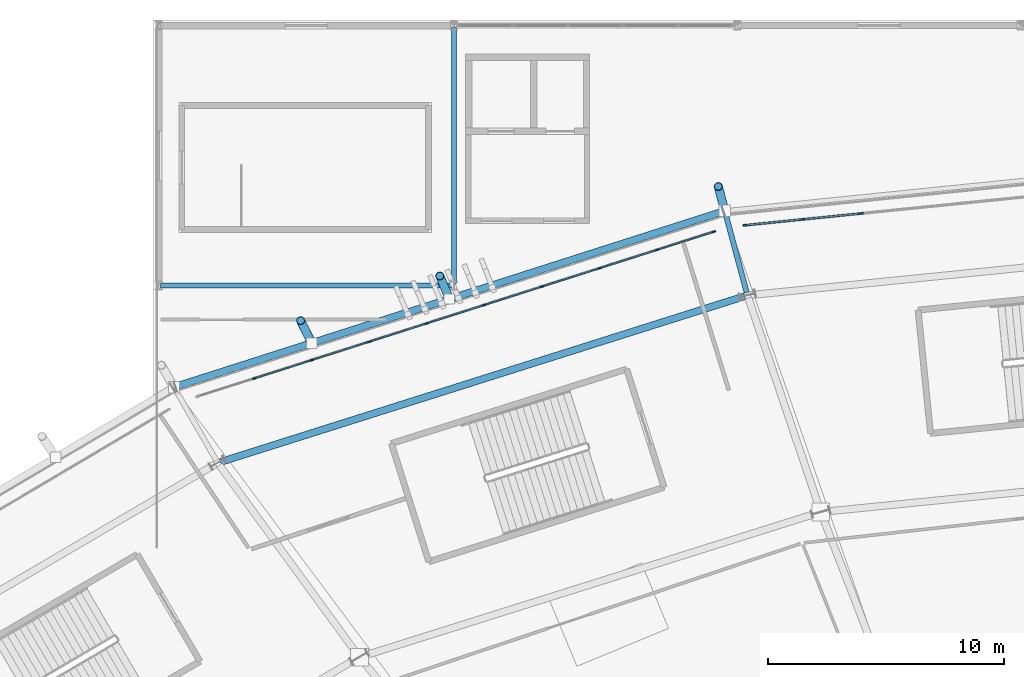
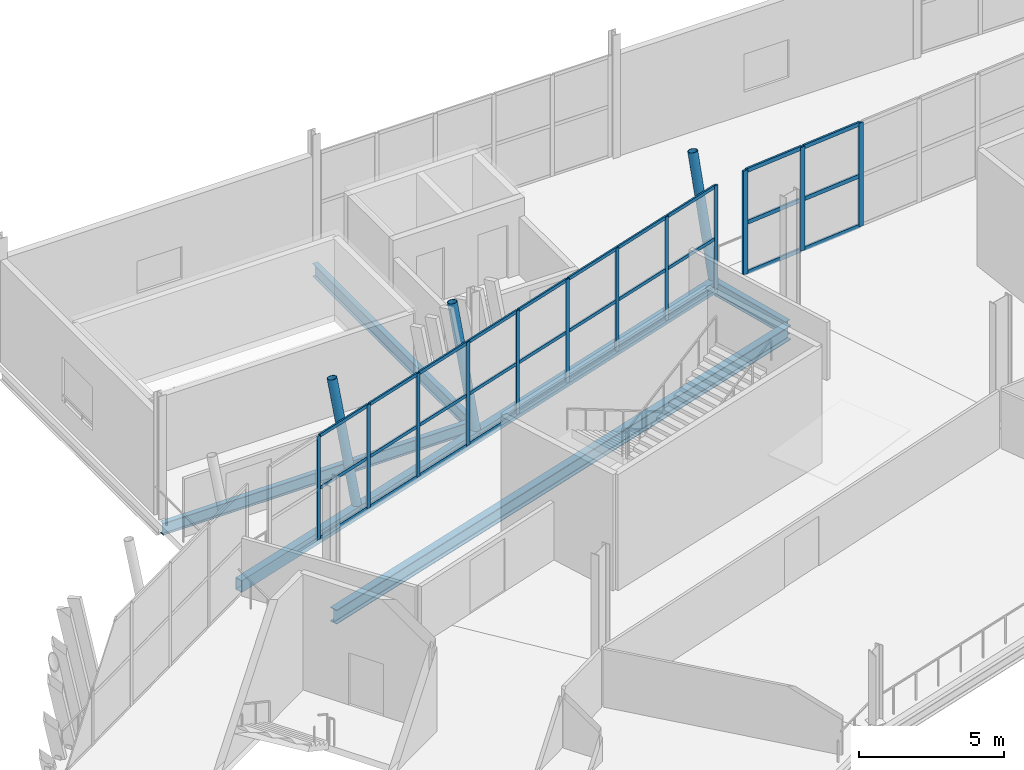
# One storey, part 67 of 168: 45 members, 5 beams, 2 elements without a shape of their own.
"""IFC4 building model written with IfcOpenShell, lengths in metres."""

from ifc_helpers import new_model, si_unit, direction, frame, origin, origin_2d, place, context, subcontext, project, spatial, rectangle, hollow_rectangle, hollow_circle, i_section, extrude, material, material_profile, profile_set, type_object, element, aggregate, save


model = new_model("IFC4")

# Units and contexts
model_context = context("Model", 3, precision=1e-05, world=origin(), true_north=direction((0.0, 1.0)))
body_context = subcontext(model_context, "Body", "Model", "MODEL_VIEW")
ifc_project = project(units=[si_unit("LENGTHUNIT", "METRE"), si_unit("AREAUNIT", "SQUARE_METRE"), si_unit("VOLUMEUNIT", "CUBIC_METRE"), si_unit("PLANEANGLEUNIT", "RADIAN"), si_unit("MASSUNIT", "GRAM", prefix="KILO")], contexts=[model_context])

# Site, building, storey
site_placement = place(None, origin())
site = spatial("IfcSite", under=ifc_project, at=site_placement, CompositionType="ELEMENT")
building_placement = place(site_placement, origin())
building = spatial("IfcBuilding", under=site, at=building_placement, Name="Zlatoyarsky Gate Stadium", CompositionType="ELEMENT")
storey_placement = place(building_placement, frame((0.0, 0.0, 15.60009765625)))
storey = spatial("IfcBuildingStorey", under=building, at=storey_placement, Name="L03", CompositionType="ELEMENT", Elevation=15.60009765625)

# Curtain wall, members
ifc_material_1 = material(Name="Thermally broken anodised aluminium curtain wall", Category="aluminium")
curtain_wall_type_1 = type_object("IfcCurtainWallType", Name="MONUMENTAL ARCHED GATE GLAZING UPPER", PredefinedType="USERDEFINED", material=ifc_material_1)
curtain_wall_1_placement = place(storey_placement, origin())
curtain_wall_1 = element("IfcCurtainWall", 1, at=curtain_wall_1_placement, inside=storey, type_object=curtain_wall_type_1, Name="Curtain wall CW-L03-06", ObjectType="ARCHED GATE GLAZING", PredefinedType="USERDEFINED")
ifc_material_2 = material(Name="Anodised aluminium 6063-T6", Category="aluminium")
ifc_material_profile_1 = material_profile(ifc_material_2, rectangle(XDim=0.074951171875, YDim=0.18994140625, at=origin_2d()), Name="ALU 75X190")
ifc_profile_set_1 = profile_set([ifc_material_profile_1], Name="Anodised aluminium 6063-T6")
member_type_1 = type_object("IfcMemberType", Name="ALUMINIUM GATE MULLION 75X190", PredefinedType="MULLION", material=ifc_profile_set_1)
member_1_placement = place(storey_placement, frame((91.742919921875, 152.0478515625, 0.0), z_axis=(0.0, 0.0, 1.0), x_axis=(0.100967231657, -0.994889751747, 0.0)))
member_1 = element("IfcMember", 2, at=member_1_placement, type_object=member_type_1, Name="CW-AG2 mullion 7", PredefinedType="MULLION", context=body_context, shape_type="SweptSolid", body=[
    extrude(rectangle(XDim=0.074951171875, YDim=0.18994140625, at=origin_2d()), origin(), (0.0, 0.0, 1.0), 4.3798828125),
])
member_2_placement = place(storey_placement, frame((89.271240234375, 151.797119140625, 0.0), z_axis=(0.0, 0.0, 1.0), x_axis=(0.100967231657, -0.994889751747, 0.0)))
member_2 = element("IfcMember", 3, at=member_2_placement, type_object=member_type_1, Name="CW-AG2 mullion 8", PredefinedType="MULLION", context=body_context, shape_type="SweptSolid", body=[
    extrude(rectangle(XDim=0.074951171875, YDim=0.18994140625, at=origin_2d()), origin(), (0.0, 0.0, 1.0), 4.3798828125),
])
member_3_placement = place(storey_placement, frame((86.8369140625, 151.550048828125, 0.0), z_axis=(0.0, 0.0, 1.0), x_axis=(0.100967231657, -0.994889751747, 0.0)))
member_3 = element("IfcMember", 4, at=member_3_placement, type_object=member_type_1, Name="CW-AG2 mullion 9", PredefinedType="MULLION", context=body_context, shape_type="SweptSolid", body=[
    extrude(rectangle(XDim=0.074951171875, YDim=0.18994140625, at=origin_2d()), origin(), (0.0, 0.0, 1.0), 4.3798828125),
])
ifc_material_profile_2 = material_profile(ifc_material_2, rectangle(XDim=0.074951171875, YDim=0.169921875, at=origin_2d()), Name="ALU 75X170")
ifc_profile_set_2 = profile_set([ifc_material_profile_2], Name="Anodised aluminium 6063-T6")
member_type_2 = type_object("IfcMemberType", Name="ALUMINIUM GATE TRANSOM 75X170", PredefinedType="USERDEFINED", material=ifc_profile_set_2)
member_4_placement = place(storey_placement, frame((91.70556640625, 152.044189453125, 0.037353515625), z_axis=(-0.994884555157, -0.101018423617, 0.0), x_axis=(0.101018423617, -0.994884555157, 0.0)))
member_4 = element("IfcMember", 5, at=member_4_placement, type_object=member_type_2, Name="CW-AG2 transom 7.1", ObjectType="TRANSOM", PredefinedType="USERDEFINED", context=body_context, shape_type="SweptSolid", body=[
    extrude(rectangle(XDim=0.074951171875, YDim=0.169921875, at=origin_2d()), origin(), (0.0, 0.0, 1.0), 2.409423828125),
])
member_5_placement = place(storey_placement, frame((91.70556640625, 152.044189453125, 2.14990234375), z_axis=(-0.994884555157, -0.101018423617, 0.0), x_axis=(0.101018423617, -0.994884555157, 0.0)))
member_5 = element("IfcMember", 6, at=member_5_placement, type_object=member_type_2, Name="CW-AG2 transom 7.2", ObjectType="TRANSOM", PredefinedType="USERDEFINED", context=body_context, shape_type="SweptSolid", body=[
    extrude(rectangle(XDim=0.074951171875, YDim=0.169921875, at=origin_2d()), origin(), (0.0, 0.0, 1.0), 2.409423828125),
])
member_6_placement = place(storey_placement, frame((91.70556640625, 152.044189453125, 4.34228515625), z_axis=(-0.994884555157, -0.101018423617, 0.0), x_axis=(0.101018423617, -0.994884555157, 0.0)))
member_6 = element("IfcMember", 7, at=member_6_placement, type_object=member_type_2, Name="CW-AG2 transom 7.3", ObjectType="TRANSOM", PredefinedType="USERDEFINED", context=body_context, shape_type="SweptSolid", body=[
    extrude(rectangle(XDim=0.074951171875, YDim=0.169921875, at=origin_2d()), origin(), (0.0, 0.0, 1.0), 2.409423828125),
])
member_7_placement = place(storey_placement, frame((89.23388671875, 151.793212890625, 0.037353515625), z_axis=(-0.994889361145, -0.100971080414, 0.0), x_axis=(0.100971080414, -0.994889361145, 0.0)))
member_7 = element("IfcMember", 8, at=member_7_placement, type_object=member_type_2, Name="CW-AG2 transom 8.1", ObjectType="TRANSOM", PredefinedType="USERDEFINED", context=body_context, shape_type="SweptSolid", body=[
    extrude(rectangle(XDim=0.074951171875, YDim=0.169921875, at=origin_2d()), origin(), (0.0, 0.0, 1.0), 2.3720703125),
])
member_8_placement = place(storey_placement, frame((89.23388671875, 151.793212890625, 2.14990234375), z_axis=(-0.994889361145, -0.100971080414, 0.0), x_axis=(0.100971080414, -0.994889361145, 0.0)))
member_8 = element("IfcMember", 9, at=member_8_placement, type_object=member_type_2, Name="CW-AG2 transom 8.2", ObjectType="TRANSOM", PredefinedType="USERDEFINED", context=body_context, shape_type="SweptSolid", body=[
    extrude(rectangle(XDim=0.074951171875, YDim=0.169921875, at=origin_2d()), origin(), (0.0, 0.0, 1.0), 2.3720703125),
])
member_9_placement = place(storey_placement, frame((89.23388671875, 151.793212890625, 4.34228515625), z_axis=(-0.994889361145, -0.100971080414, 0.0), x_axis=(0.100971080414, -0.994889361145, 0.0)))
member_9 = element("IfcMember", 10, at=member_9_placement, type_object=member_type_2, Name="CW-AG2 transom 8.3", ObjectType="TRANSOM", PredefinedType="USERDEFINED", context=body_context, shape_type="SweptSolid", body=[
    extrude(rectangle(XDim=0.074951171875, YDim=0.169921875, at=origin_2d()), origin(), (0.0, 0.0, 1.0), 2.3720703125),
])
aggregate(curtain_wall_1, [member_1, member_2, member_3, member_4, member_5, member_6, member_7, member_8, member_9])

curtain_wall_type_2 = type_object("IfcCurtainWallType", Name="UNITISED CORPORATE BOX GLAZING L03", PredefinedType="USERDEFINED", material=ifc_material_1)
curtain_wall_2_placement = place(storey_placement, origin())
curtain_wall_2 = element("IfcCurtainWall", 11, at=curtain_wall_2_placement, inside=storey, type_object=curtain_wall_type_2, Name="Curtain wall CW-L03-07", ObjectType="UNITISED GLAZING", PredefinedType="USERDEFINED")
ifc_material_profile_3 = material_profile(ifc_material_2, rectangle(XDim=0.06494140625, YDim=0.159912109375, at=origin_2d()), Name="ALU 65X160")
ifc_profile_set_3 = profile_set([ifc_material_profile_3], Name="Anodised aluminium 6063-T6")
member_type_3 = type_object("IfcMemberType", Name="ALUMINIUM MULLION 65X160", PredefinedType="MULLION", material=ifc_profile_set_3)
member_10_placement = place(storey_placement, frame((85.502685546875, 151.27294921875, 0.0), z_axis=(0.0, 0.0, 1.0), x_axis=(0.304162129597, -0.952620280552, 0.0)))
member_10 = element("IfcMember", 12, at=member_10_placement, type_object=member_type_3, Name="CW-UG3 mullion 1", PredefinedType="MULLION", context=body_context, shape_type="SweptSolid", body=[
    extrude(rectangle(XDim=0.06494140625, YDim=0.159912109375, at=origin_2d()), origin(), (0.0, 0.0, 1.0), 4.3798828125),
])
member_11_placement = place(storey_placement, frame((83.0986328125, 150.50537109375, 0.0), z_axis=(0.0, 0.0, 1.0), x_axis=(0.304162129597, -0.952620280552, 0.0)))
member_11 = element("IfcMember", 13, at=member_11_placement, type_object=member_type_3, Name="CW-UG3 mullion 2", PredefinedType="MULLION", context=body_context, shape_type="SweptSolid", body=[
    extrude(rectangle(XDim=0.06494140625, YDim=0.159912109375, at=origin_2d()), origin(), (0.0, 0.0, 1.0), 4.3798828125),
])
member_12_placement = place(storey_placement, frame((80.66357421875, 149.72802734375, 0.0), z_axis=(0.0, 0.0, 1.0), x_axis=(0.304162129597, -0.952620280552, 0.0)))
member_12 = element("IfcMember", 14, at=member_12_placement, type_object=member_type_3, Name="CW-UG3 mullion 3", PredefinedType="MULLION", context=body_context, shape_type="SweptSolid", body=[
    extrude(rectangle(XDim=0.06494140625, YDim=0.159912109375, at=origin_2d()), origin(), (0.0, 0.0, 1.0), 4.3798828125),
])
member_13_placement = place(storey_placement, frame((78.228515625, 148.950439453125, 0.0), z_axis=(0.0, 0.0, 1.0), x_axis=(0.304162129597, -0.952620280552, 0.0)))
member_13 = element("IfcMember", 15, at=member_13_placement, type_object=member_type_3, Name="CW-UG3 mullion 4", PredefinedType="MULLION", context=body_context, shape_type="SweptSolid", body=[
    extrude(rectangle(XDim=0.06494140625, YDim=0.159912109375, at=origin_2d()), origin(), (0.0, 0.0, 1.0), 4.3798828125),
])
member_14_placement = place(storey_placement, frame((75.79345703125, 148.1728515625, 0.0), z_axis=(0.0, 0.0, 1.0), x_axis=(0.304162129597, -0.952620280552, 0.0)))
member_14 = element("IfcMember", 16, at=member_14_placement, type_object=member_type_3, Name="CW-UG3 mullion 5", PredefinedType="MULLION", context=body_context, shape_type="SweptSolid", body=[
    extrude(rectangle(XDim=0.06494140625, YDim=0.159912109375, at=origin_2d()), origin(), (0.0, 0.0, 1.0), 4.3798828125),
])
member_15_placement = place(storey_placement, frame((73.3583984375, 147.3955078125, 0.0), z_axis=(0.0, 0.0, 1.0), x_axis=(0.304162129597, -0.952620280552, 0.0)))
member_15 = element("IfcMember", 17, at=member_15_placement, type_object=member_type_3, Name="CW-UG3 mullion 6", PredefinedType="MULLION", context=body_context, shape_type="SweptSolid", body=[
    extrude(rectangle(XDim=0.06494140625, YDim=0.159912109375, at=origin_2d()), origin(), (0.0, 0.0, 1.0), 4.3798828125),
])
member_16_placement = place(storey_placement, frame((70.92333984375, 146.617919921875, 0.0), z_axis=(0.0, 0.0, 1.0), x_axis=(0.304162129597, -0.952620280552, 0.0)))
member_16 = element("IfcMember", 18, at=member_16_placement, type_object=member_type_3, Name="CW-UG3 mullion 7", PredefinedType="MULLION", context=body_context, shape_type="SweptSolid", body=[
    extrude(rectangle(XDim=0.06494140625, YDim=0.159912109375, at=origin_2d()), origin(), (0.0, 0.0, 1.0), 4.3798828125),
])
member_17_placement = place(storey_placement, frame((68.48828125, 145.840576171875, 0.0), z_axis=(0.0, 0.0, 1.0), x_axis=(0.304162129597, -0.952620280552, 0.0)))
member_17 = element("IfcMember", 19, at=member_17_placement, type_object=member_type_3, Name="CW-UG3 mullion 8", PredefinedType="MULLION", context=body_context, shape_type="SweptSolid", body=[
    extrude(rectangle(XDim=0.06494140625, YDim=0.159912109375, at=origin_2d()), origin(), (0.0, 0.0, 1.0), 4.3798828125),
])
member_18_placement = place(storey_placement, frame((66.05322265625, 145.06298828125, 0.0), z_axis=(0.0, 0.0, 1.0), x_axis=(0.304162129597, -0.952620280552, 0.0)))
member_18 = element("IfcMember", 20, at=member_18_placement, type_object=member_type_3, Name="CW-UG3 mullion 9", PredefinedType="MULLION", context=body_context, shape_type="SweptSolid", body=[
    extrude(rectangle(XDim=0.06494140625, YDim=0.159912109375, at=origin_2d()), origin(), (0.0, 0.0, 1.0), 4.3798828125),
])
ifc_material_profile_4 = material_profile(ifc_material_2, rectangle(XDim=0.06494140625, YDim=0.139892578125, at=origin_2d()), Name="ALU 65X140")
ifc_profile_set_4 = profile_set([ifc_material_profile_4], Name="Anodised aluminium 6063-T6")
member_type_4 = type_object("IfcMemberType", Name="ALUMINIUM TRANSOM 65X140", PredefinedType="USERDEFINED", material=ifc_profile_set_4)
member_19_placement = place(storey_placement, frame((85.4716796875, 151.26318359375, 0.032470703125), z_axis=(-0.952627998304, -0.304137956932, 0.0), x_axis=(0.304137956932, -0.952627998304, 0.0)))
member_19 = element("IfcMember", 21, at=member_19_placement, type_object=member_type_4, Name="CW-UG3 transom 1.1", ObjectType="TRANSOM", PredefinedType="USERDEFINED", context=body_context, shape_type="SweptSolid", body=[
    extrude(rectangle(XDim=0.06494140625, YDim=0.139892578125, at=origin_2d()), origin(), (0.0, 0.0, 1.0), 2.458740234375),
])
member_20_placement = place(storey_placement, frame((85.4716796875, 151.26318359375, 2.14990234375), z_axis=(-0.952627998304, -0.304137956932, 0.0), x_axis=(0.304137956932, -0.952627998304, 0.0)))
member_20 = element("IfcMember", 22, at=member_20_placement, type_object=member_type_4, Name="CW-UG3 transom 1.2", ObjectType="TRANSOM", PredefinedType="USERDEFINED", context=body_context, shape_type="SweptSolid", body=[
    extrude(rectangle(XDim=0.06494140625, YDim=0.139892578125, at=origin_2d()), origin(), (0.0, 0.0, 1.0), 2.458740234375),
])
member_21_placement = place(storey_placement, frame((85.4716796875, 151.26318359375, 4.347412109375), z_axis=(-0.952627998304, -0.304137956932, 0.0), x_axis=(0.304137956932, -0.952627998304, 0.0)))
member_21 = element("IfcMember", 23, at=member_21_placement, type_object=member_type_4, Name="CW-UG3 transom 1.3", ObjectType="TRANSOM", PredefinedType="USERDEFINED", context=body_context, shape_type="SweptSolid", body=[
    extrude(rectangle(XDim=0.06494140625, YDim=0.139892578125, at=origin_2d()), origin(), (0.0, 0.0, 1.0), 2.458740234375),
])
member_22_placement = place(storey_placement, frame((83.067626953125, 150.49560546875, 0.032470703125), z_axis=(-0.952615115267, -0.304178306531, 0.0), x_axis=(0.304178306531, -0.952615115267, 0.0)))
member_22 = element("IfcMember", 24, at=member_22_placement, type_object=member_type_4, Name="CW-UG3 transom 2.1", ObjectType="TRANSOM", PredefinedType="USERDEFINED", context=body_context, shape_type="SweptSolid", body=[
    extrude(rectangle(XDim=0.06494140625, YDim=0.139892578125, at=origin_2d()), origin(), (0.0, 0.0, 1.0), 2.491455078125),
])
member_23_placement = place(storey_placement, frame((83.067626953125, 150.49560546875, 2.14990234375), z_axis=(-0.952615115267, -0.304178306531, 0.0), x_axis=(0.304178306531, -0.952615115267, 0.0)))
member_23 = element("IfcMember", 25, at=member_23_placement, type_object=member_type_4, Name="CW-UG3 transom 2.2", ObjectType="TRANSOM", PredefinedType="USERDEFINED", context=body_context, shape_type="SweptSolid", body=[
    extrude(rectangle(XDim=0.06494140625, YDim=0.139892578125, at=origin_2d()), origin(), (0.0, 0.0, 1.0), 2.491455078125),
])
member_24_placement = place(storey_placement, frame((83.067626953125, 150.49560546875, 4.347412109375), z_axis=(-0.952615115267, -0.304178306531, 0.0), x_axis=(0.304178306531, -0.952615115267, 0.0)))
member_24 = element("IfcMember", 26, at=member_24_placement, type_object=member_type_4, Name="CW-UG3 transom 2.3", ObjectType="TRANSOM", PredefinedType="USERDEFINED", context=body_context, shape_type="SweptSolid", body=[
    extrude(rectangle(XDim=0.06494140625, YDim=0.139892578125, at=origin_2d()), origin(), (0.0, 0.0, 1.0), 2.491455078125),
])
member_25_placement = place(storey_placement, frame((80.632568359375, 149.718017578125, 0.032470703125), z_axis=(-0.952615115267, -0.304178306531, 0.0), x_axis=(0.304178306531, -0.952615115267, 0.0)))
member_25 = element("IfcMember", 27, at=member_25_placement, type_object=member_type_4, Name="CW-UG3 transom 3.1", ObjectType="TRANSOM", PredefinedType="USERDEFINED", context=body_context, shape_type="SweptSolid", body=[
    extrude(rectangle(XDim=0.06494140625, YDim=0.139892578125, at=origin_2d()), origin(), (0.0, 0.0, 1.0), 2.491455078125),
])
member_26_placement = place(storey_placement, frame((80.632568359375, 149.718017578125, 2.14990234375), z_axis=(-0.952615115267, -0.304178306531, 0.0), x_axis=(0.304178306531, -0.952615115267, 0.0)))
member_26 = element("IfcMember", 28, at=member_26_placement, type_object=member_type_4, Name="CW-UG3 transom 3.2", ObjectType="TRANSOM", PredefinedType="USERDEFINED", context=body_context, shape_type="SweptSolid", body=[
    extrude(rectangle(XDim=0.06494140625, YDim=0.139892578125, at=origin_2d()), origin(), (0.0, 0.0, 1.0), 2.491455078125),
])
member_27_placement = place(storey_placement, frame((80.632568359375, 149.718017578125, 4.347412109375), z_axis=(-0.952615115267, -0.304178306531, 0.0), x_axis=(0.304178306531, -0.952615115267, 0.0)))
member_27 = element("IfcMember", 29, at=member_27_placement, type_object=member_type_4, Name="CW-UG3 transom 3.3", ObjectType="TRANSOM", PredefinedType="USERDEFINED", context=body_context, shape_type="SweptSolid", body=[
    extrude(rectangle(XDim=0.06494140625, YDim=0.139892578125, at=origin_2d()), origin(), (0.0, 0.0, 1.0), 2.491455078125),
])
member_28_placement = place(storey_placement, frame((78.197509765625, 148.9404296875, 0.032470703125), z_axis=(-0.95264350764, -0.304089373954, 0.0), x_axis=(0.304089373954, -0.95264350764, 0.0)))
member_28 = element("IfcMember", 30, at=member_28_placement, type_object=member_type_4, Name="CW-UG3 transom 4.1", ObjectType="TRANSOM", PredefinedType="USERDEFINED", context=body_context, shape_type="SweptSolid", body=[
    extrude(rectangle(XDim=0.06494140625, YDim=0.139892578125, at=origin_2d()), origin(), (0.0, 0.0, 1.0), 2.4912109375),
])
member_29_placement = place(storey_placement, frame((78.197509765625, 148.9404296875, 2.14990234375), z_axis=(-0.95264350764, -0.304089373954, 0.0), x_axis=(0.304089373954, -0.95264350764, 0.0)))
member_29 = element("IfcMember", 31, at=member_29_placement, type_object=member_type_4, Name="CW-UG3 transom 4.2", ObjectType="TRANSOM", PredefinedType="USERDEFINED", context=body_context, shape_type="SweptSolid", body=[
    extrude(rectangle(XDim=0.06494140625, YDim=0.139892578125, at=origin_2d()), origin(), (0.0, 0.0, 1.0), 2.4912109375),
])
member_30_placement = place(storey_placement, frame((78.197509765625, 148.9404296875, 4.347412109375), z_axis=(-0.95264350764, -0.304089373954, 0.0), x_axis=(0.304089373954, -0.95264350764, 0.0)))
member_30 = element("IfcMember", 32, at=member_30_placement, type_object=member_type_4, Name="CW-UG3 transom 4.3", ObjectType="TRANSOM", PredefinedType="USERDEFINED", context=body_context, shape_type="SweptSolid", body=[
    extrude(rectangle(XDim=0.06494140625, YDim=0.139892578125, at=origin_2d()), origin(), (0.0, 0.0, 1.0), 2.4912109375),
])
member_31_placement = place(storey_placement, frame((75.762451171875, 148.1630859375, 0.032470703125), z_axis=(-0.95260604701, -0.304206704724, 0.0), x_axis=(0.304206704724, -0.95260604701, 0.0)))
member_31 = element("IfcMember", 33, at=member_31_placement, type_object=member_type_4, Name="CW-UG3 transom 5.1", ObjectType="TRANSOM", PredefinedType="USERDEFINED", context=body_context, shape_type="SweptSolid", body=[
    extrude(rectangle(XDim=0.06494140625, YDim=0.139892578125, at=origin_2d()), origin(), (0.0, 0.0, 1.0), 2.4912109375),
])
member_32_placement = place(storey_placement, frame((75.762451171875, 148.1630859375, 2.14990234375), z_axis=(-0.95260604701, -0.304206704724, 0.0), x_axis=(0.304206704724, -0.95260604701, 0.0)))
member_32 = element("IfcMember", 34, at=member_32_placement, type_object=member_type_4, Name="CW-UG3 transom 5.2", ObjectType="TRANSOM", PredefinedType="USERDEFINED", context=body_context, shape_type="SweptSolid", body=[
    extrude(rectangle(XDim=0.06494140625, YDim=0.139892578125, at=origin_2d()), origin(), (0.0, 0.0, 1.0), 2.4912109375),
])
member_33_placement = place(storey_placement, frame((75.762451171875, 148.1630859375, 4.347412109375), z_axis=(-0.95260604701, -0.304206704724, 0.0), x_axis=(0.304206704724, -0.95260604701, 0.0)))
member_33 = element("IfcMember", 35, at=member_33_placement, type_object=member_type_4, Name="CW-UG3 transom 5.3", ObjectType="TRANSOM", PredefinedType="USERDEFINED", context=body_context, shape_type="SweptSolid", body=[
    extrude(rectangle(XDim=0.06494140625, YDim=0.139892578125, at=origin_2d()), origin(), (0.0, 0.0, 1.0), 2.4912109375),
])
member_34_placement = place(storey_placement, frame((73.327392578125, 147.385498046875, 0.032470703125), z_axis=(-0.952634444414, -0.304117765537, 0.0), x_axis=(0.304117765537, -0.952634444414, 0.0)))
member_34 = element("IfcMember", 36, at=member_34_placement, type_object=member_type_4, Name="CW-UG3 transom 6.1", ObjectType="TRANSOM", PredefinedType="USERDEFINED", context=body_context, shape_type="SweptSolid", body=[
    extrude(rectangle(XDim=0.06494140625, YDim=0.139892578125, at=origin_2d()), origin(), (0.0, 0.0, 1.0), 2.490966796875),
])
member_35_placement = place(storey_placement, frame((73.327392578125, 147.385498046875, 2.14990234375), z_axis=(-0.952634444414, -0.304117765537, 0.0), x_axis=(0.304117765537, -0.952634444414, 0.0)))
member_35 = element("IfcMember", 37, at=member_35_placement, type_object=member_type_4, Name="CW-UG3 transom 6.2", ObjectType="TRANSOM", PredefinedType="USERDEFINED", context=body_context, shape_type="SweptSolid", body=[
    extrude(rectangle(XDim=0.06494140625, YDim=0.139892578125, at=origin_2d()), origin(), (0.0, 0.0, 1.0), 2.490966796875),
])
member_36_placement = place(storey_placement, frame((73.327392578125, 147.385498046875, 4.347412109375), z_axis=(-0.952634444414, -0.304117765537, 0.0), x_axis=(0.304117765537, -0.952634444414, 0.0)))
member_36 = element("IfcMember", 38, at=member_36_placement, type_object=member_type_4, Name="CW-UG3 transom 6.3", ObjectType="TRANSOM", PredefinedType="USERDEFINED", context=body_context, shape_type="SweptSolid", body=[
    extrude(rectangle(XDim=0.06494140625, YDim=0.139892578125, at=origin_2d()), origin(), (0.0, 0.0, 1.0), 2.490966796875),
])
member_37_placement = place(storey_placement, frame((70.892333984375, 146.608154296875, 0.032470703125), z_axis=(-0.95260604701, -0.304206704724, 0.0), x_axis=(0.304206704724, -0.95260604701, 0.0)))
member_37 = element("IfcMember", 39, at=member_37_placement, type_object=member_type_4, Name="CW-UG3 transom 7.1", ObjectType="TRANSOM", PredefinedType="USERDEFINED", context=body_context, shape_type="SweptSolid", body=[
    extrude(rectangle(XDim=0.06494140625, YDim=0.139892578125, at=origin_2d()), origin(), (0.0, 0.0, 1.0), 2.4912109375),
])
member_38_placement = place(storey_placement, frame((70.892333984375, 146.608154296875, 2.14990234375), z_axis=(-0.95260604701, -0.304206704724, 0.0), x_axis=(0.304206704724, -0.95260604701, 0.0)))
member_38 = element("IfcMember", 40, at=member_38_placement, type_object=member_type_4, Name="CW-UG3 transom 7.2", ObjectType="TRANSOM", PredefinedType="USERDEFINED", context=body_context, shape_type="SweptSolid", body=[
    extrude(rectangle(XDim=0.06494140625, YDim=0.139892578125, at=origin_2d()), origin(), (0.0, 0.0, 1.0), 2.4912109375),
])
member_39_placement = place(storey_placement, frame((70.892333984375, 146.608154296875, 4.347412109375), z_axis=(-0.95260604701, -0.304206704724, 0.0), x_axis=(0.304206704724, -0.95260604701, 0.0)))
member_39 = element("IfcMember", 41, at=member_39_placement, type_object=member_type_4, Name="CW-UG3 transom 7.3", ObjectType="TRANSOM", PredefinedType="USERDEFINED", context=body_context, shape_type="SweptSolid", body=[
    extrude(rectangle(XDim=0.06494140625, YDim=0.139892578125, at=origin_2d()), origin(), (0.0, 0.0, 1.0), 2.4912109375),
])
member_40_placement = place(storey_placement, frame((68.457275390625, 145.83056640625, 0.032470703125), z_axis=(-0.95260604701, -0.304206704724, 0.0), x_axis=(0.304206704724, -0.95260604701, 0.0)))
member_40 = element("IfcMember", 42, at=member_40_placement, type_object=member_type_4, Name="CW-UG3 transom 8.1", ObjectType="TRANSOM", PredefinedType="USERDEFINED", context=body_context, shape_type="SweptSolid", body=[
    extrude(rectangle(XDim=0.06494140625, YDim=0.139892578125, at=origin_2d()), origin(), (0.0, 0.0, 1.0), 2.4912109375),
])
member_41_placement = place(storey_placement, frame((68.457275390625, 145.83056640625, 2.14990234375), z_axis=(-0.95260604701, -0.304206704724, 0.0), x_axis=(0.304206704724, -0.95260604701, 0.0)))
member_41 = element("IfcMember", 43, at=member_41_placement, type_object=member_type_4, Name="CW-UG3 transom 8.2", ObjectType="TRANSOM", PredefinedType="USERDEFINED", context=body_context, shape_type="SweptSolid", body=[
    extrude(rectangle(XDim=0.06494140625, YDim=0.139892578125, at=origin_2d()), origin(), (0.0, 0.0, 1.0), 2.4912109375),
])
member_42_placement = place(storey_placement, frame((68.457275390625, 145.83056640625, 4.347412109375), z_axis=(-0.95260604701, -0.304206704724, 0.0), x_axis=(0.304206704724, -0.95260604701, 0.0)))
member_42 = element("IfcMember", 44, at=member_42_placement, type_object=member_type_4, Name="CW-UG3 transom 8.3", ObjectType="TRANSOM", PredefinedType="USERDEFINED", context=body_context, shape_type="SweptSolid", body=[
    extrude(rectangle(XDim=0.06494140625, YDim=0.139892578125, at=origin_2d()), origin(), (0.0, 0.0, 1.0), 2.4912109375),
])
aggregate(curtain_wall_2, [member_10, member_11, member_12, member_13, member_14, member_15, member_16, member_17, member_18, member_19, member_20, member_21, member_22, member_23, member_24, member_25, member_26, member_27, member_28, member_29, member_30, member_31, member_32, member_33, member_34, member_35, member_36, member_37, member_38, member_39, member_40, member_41, member_42])

# Beams
ifc_material_3 = material(Name="Steel S355", Category="steel")
ifc_material_profile_5 = material_profile(ifc_material_3, i_section(OverallWidth=0.219970703125, OverallDepth=0.60009765625, WebThickness=0.011962890625, FlangeThickness=0.01904296875, FilletRadius=0.02392578125, at=origin_2d()), Name="IPE 600")
ifc_profile_set_5 = profile_set([ifc_material_profile_5], Name="Steel S355")
beam_type_1 = type_object("IfcBeamType", Name="STEEL CANTILEVER FLOOR BEAM IPE 600", PredefinedType="BEAM", material=ifc_profile_set_5)
beam_1_placement = place(storey_placement, frame((86.898681640625, 148.696533203125, -0.580078125), z_axis=(-0.258778100346, 0.965936796473, 0.0), x_axis=(-0.965936796473, -0.258778100346, 0.0)))
element("IfcBeam", 45, at=beam_1_placement, inside=storey, type_object=beam_type_1, Name="Beam B-IPE600 BM-L03-OUT-07", PredefinedType="BEAM", context=body_context, shape_type="SweptSolid", body=[
    extrude(i_section(OverallWidth=0.219970703125, OverallDepth=0.60009765625, WebThickness=0.011962890625, FlangeThickness=0.01904296875, FilletRadius=0.02392578125, at=origin_2d()), origin(), (0.0, 0.0, 1.0), 3.582275390625),
])
ifc_material_profile_6 = material_profile(ifc_material_3, i_section(OverallWidth=0.199951171875, OverallDepth=0.5, WebThickness=0.01025390625, FlangeThickness=0.01611328125, FilletRadius=0.02099609375, at=origin_2d()), Name="IPE 500")
ifc_profile_set_6 = profile_set([ifc_material_profile_6], Name="Steel S355")
beam_type_2 = type_object("IfcBeamType", Name="STEEL FLOOR BEAM IPE 500", PredefinedType="BEAM", material=ifc_profile_set_6)
beam_2_placement = place(storey_placement, frame((62.080078125, 149.0, -0.530029296875), z_axis=(1.0, 0.0, 0.0), x_axis=(0.0, 1.0, 0.0)))
element("IfcBeam", 46, at=beam_2_placement, inside=storey, type_object=beam_type_2, Name="Beam B-IPE500 BM-L03-WGX-6-P", PredefinedType="BEAM", context=body_context, shape_type="SweptSolid", body=[
    extrude(i_section(OverallWidth=0.199951171875, OverallDepth=0.5, WebThickness=0.01025390625, FlangeThickness=0.01611328125, FilletRadius=0.02099609375, at=origin_2d()), origin(), (0.0, 0.0, 1.0), 12.33984375),
])
ifc_material_profile_7 = material_profile(ifc_material_3, i_section(OverallWidth=0.2099609375, OverallDepth=0.550048828125, WebThickness=0.010986328125, FlangeThickness=0.01708984375, FilletRadius=0.02392578125, at=origin_2d()), Name="IPE 550")
ifc_profile_set_7 = profile_set([ifc_material_profile_7], Name="Steel S355")
beam_type_3 = type_object("IfcBeamType", Name="STEEL FLOOR BEAM IPE 550", PredefinedType="BEAM", material=ifc_profile_set_7)
beam_3_placement = place(storey_placement, frame((74.5, 149.080078125, -0.55517578125), z_axis=(0.0, 1.0, 0.0), x_axis=(-1.0, 0.0, 0.0)))
element("IfcBeam", 47, at=beam_3_placement, inside=storey, type_object=beam_type_3, Name="Beam B-IPE550 BM-L03-WGY-7-P", PredefinedType="BEAM", context=body_context, shape_type="SweptSolid", body=[
    extrude(i_section(OverallWidth=0.2099609375, OverallDepth=0.550048828125, WebThickness=0.010986328125, FlangeThickness=0.01708984375, FilletRadius=0.02392578125, at=origin_2d()), origin(), (0.0, 0.0, 1.0), 10.83984375),
])

# Members
ifc_material_profile_8 = material_profile(ifc_material_3, hollow_circle(Radius=0.177734375, WallThickness=0.02001953125, at=origin_2d()), Name="CHS 355.6X20")
ifc_profile_set_8 = profile_set([ifc_material_profile_8], Name="Steel S355")
member_type_5 = type_object("IfcMemberType", Name="STEEL LEANING RIB RING STRUT CHS 355.6X20", PredefinedType="STRUT", material=ifc_profile_set_8)
member_43_placement = place(storey_placement, frame((85.9716796875, 152.15673828125, -0.580078125), z_axis=(-0.052255516288, 0.194942619511, 0.979421633473), x_axis=(-0.965900058049, -0.258915194343, 0.0)))
element("IfcMember", 48, at=member_43_placement, inside=storey, type_object=member_type_5, Name="Leaning ring strut 07 L03 to L04", PredefinedType="STRUT", context=body_context, shape_type="SweptSolid", body=[
    extrude(hollow_circle(Radius=0.177734375, WallThickness=0.02001953125, at=origin_2d()), origin(), (0.0, 0.0, 1.0), 5.288818359375),
])
member_44_placement = place(storey_placement, frame((74.310302734375, 148.42529296875, -0.530029296875), z_axis=(-0.076609308782, 0.184942906373, 0.97975871274), x_axis=(-0.923873441445, -0.382698137168, 0.0)))
element("IfcMember", 49, at=member_44_placement, inside=storey, type_object=member_type_5, Name="Outward-leaning bowl louvre fin rib L03 07-2", PredefinedType="STRUT", context=body_context, shape_type="SweptSolid", body=[
    extrude(hollow_circle(Radius=0.177734375, WallThickness=0.02001953125, at=origin_2d()), origin(), (0.0, 0.0, 1.0), 5.286865234375),
])
member_45_placement = place(storey_placement, frame((68.4794921875, 146.559814453125, -0.530029296875), z_axis=(-0.088747235311, 0.179849366045, 0.979682669928), x_axis=(-0.896763250695, -0.442510646428, 0.0)))
element("IfcMember", 50, at=member_45_placement, inside=storey, type_object=member_type_5, Name="Outward-leaning bowl louvre fin rib L03 07-3", PredefinedType="STRUT", context=body_context, shape_type="SweptSolid", body=[
    extrude(hollow_circle(Radius=0.177734375, WallThickness=0.02001953125, at=origin_2d()), origin(), (0.0, 0.0, 1.0), 5.287353515625),
])

# Beams
ifc_material_profile_9 = material_profile(ifc_material_3, hollow_rectangle(XDim=0.300048828125, YDim=0.5, WallThickness=0.02001953125, at=origin_2d()), Name="RHS 500X300X20")
ifc_profile_set_9 = profile_set([ifc_material_profile_9], Name="Steel S355")
beam_type_4 = type_object("IfcBeamType", Name="STEEL LOUVRE CARRIER SPANDREL RHS 500X300X20", PredefinedType="SPANDREL", material=ifc_profile_set_9)
beam_4_placement = place(storey_placement, frame((85.95263671875, 152.150634765625, -0.530029296875), z_axis=(-0.952431915611, -0.304751449752, 0.0), x_axis=(0.304751449752, -0.952431915611, 0.0)))
element("IfcBeam", 51, at=beam_4_placement, inside=storey, type_object=beam_type_4, Name="Beam SP-RHS500 BM-L03-SPD-07", PredefinedType="SPANDREL", context=body_context, shape_type="SweptSolid", body=[
    extrude(hollow_rectangle(XDim=0.300048828125, YDim=0.5, WallThickness=0.02001953125, at=origin_2d()), origin(), (0.0, 0.0, 1.0), 24.447509765625),
])
ifc_material_profile_10 = material_profile(ifc_material_3, i_section(OverallWidth=0.300048828125, OverallDepth=0.60009765625, WebThickness=0.015380859375, FlangeThickness=0.030029296875, FilletRadius=0.027099609375, at=origin_2d()), Name="HEB 600")
ifc_profile_set_10 = profile_set([ifc_material_profile_10], Name="Steel S355")
beam_type_5 = type_object("IfcBeamType", Name="STEEL PRIMARY GIRDER HEB 600", PredefinedType="BEAM", material=ifc_profile_set_10)
beam_5_placement = place(storey_placement, frame((86.8154296875, 148.54443359375, -0.580078125), z_axis=(-0.953463107403, -0.301509706015, 0.0), x_axis=(0.301509706015, -0.953463107403, 0.0)))
element("IfcBeam", 52, at=beam_5_placement, inside=storey, type_object=beam_type_5, Name="Beam G-HEB600 BM-L03-CRC-07", PredefinedType="BEAM", context=body_context, shape_type="SweptSolid", body=[
    extrude(i_section(OverallWidth=0.300048828125, OverallDepth=0.60009765625, WebThickness=0.015380859375, FlangeThickness=0.030029296875, FilletRadius=0.027099609375, at=origin_2d()), origin(), (0.0, 0.0, 1.0), 23.284423828125),
])

save(model, "model.ifc")
